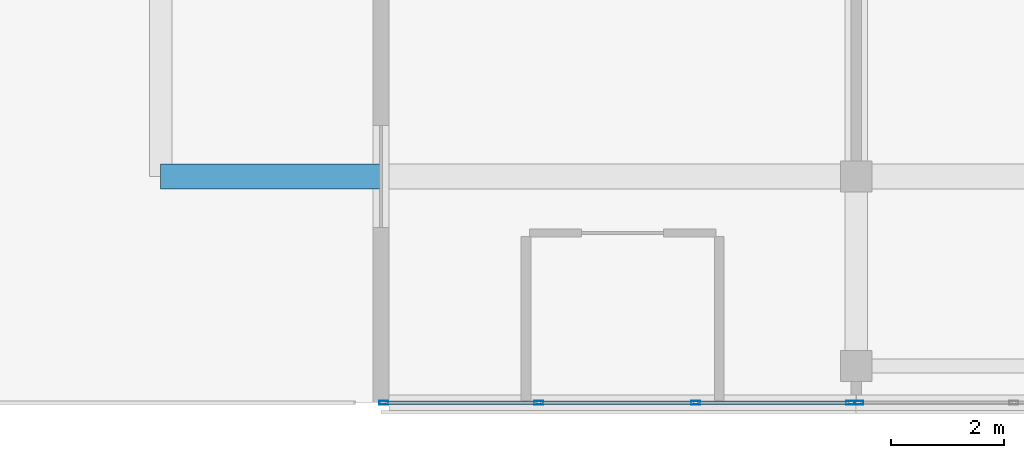
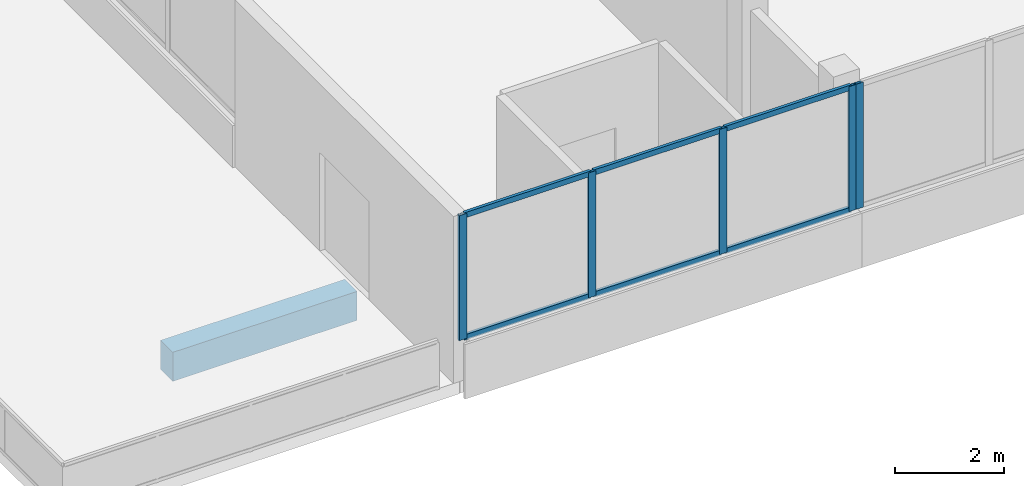
# One storey, part 4 of 67: 11 members, 1 beam, 2 elements without a shape of their own.
"""IFC4 building model written with IfcOpenShell, lengths in metres."""

from ifc_helpers import new_model, si_unit, direction, frame, origin, origin_2d, place, context, subcontext, project, spatial, rectangle, hollow_rectangle, extrude, material, material_profile, profile_set, type_object, element, aggregate, save


model = new_model("IFC4")

# Units and contexts
model_context = context("Model", 3, precision=1e-05, world=origin(), true_north=direction((0.0, 1.0)))
body_context = subcontext(model_context, "Body", "Model", "MODEL_VIEW")
ifc_project = project(units=[si_unit("LENGTHUNIT", "METRE"), si_unit("AREAUNIT", "SQUARE_METRE"), si_unit("VOLUMEUNIT", "CUBIC_METRE"), si_unit("PLANEANGLEUNIT", "RADIAN"), si_unit("MASSUNIT", "GRAM", prefix="KILO")], contexts=[model_context])

# Site, building, storey
site_placement = place(None, origin())
site = spatial("IfcSite", under=ifc_project, at=site_placement, CompositionType="ELEMENT")
building_placement = place(site_placement, origin())
building = spatial("IfcBuilding", under=site, at=building_placement, Name="Selatvlak General Hospital", CompositionType="ELEMENT")
storey_placement = place(building_placement, frame((0.0, 0.0, 35.39990234375)))
storey = spatial("IfcBuildingStorey", under=building, at=storey_placement, Name="L08", CompositionType="ELEMENT", Elevation=35.39990234375)

# Beam
ifc_material_1 = material(Name="Concrete C40/50", Category="concrete")
ifc_material_profile_1 = material_profile(ifc_material_1, rectangle(XDim=0.449951171875, YDim=0.64990234375, at=origin_2d()), Name="RC-BM 450x650")
ifc_profile_set_1 = profile_set([ifc_material_profile_1], Name="Concrete C40/50")
beam_type = type_object("IfcBeamType", Name="BM-G04", PredefinedType="BEAM", material=ifc_profile_set_1)
beam_placement = place(storey_placement, frame((27.300048828125, 92.0, -0.596923828125), z_axis=(1.0, 0.0, 0.0), x_axis=(0.0, 1.0, 0.0)))
element("IfcBeam", 1, at=beam_placement, inside=storey, type_object=beam_type, Name="Beam BMR-L08-2568", PredefinedType="BEAM", context=body_context, shape_type="SweptSolid", body=[
    extrude(rectangle(XDim=0.449951171875, YDim=0.64990234375, at=origin_2d()), origin(), (0.0, 0.0, 1.0), 3.89990234375),
])

# Curtain wall, member
ifc_material_2 = material(Name="Solar-control Low-E double glazing", Category="glass")
curtain_wall_type_1 = type_object("IfcCurtainWallType", Name="CW-CW-01", PredefinedType="USERDEFINED", material=ifc_material_2)
curtain_wall_1_placement = place(storey_placement, origin())
curtain_wall_1 = element("IfcCurtainWall", 2, at=curtain_wall_1_placement, inside=storey, type_object=curtain_wall_type_1, Name="Glazed facade curtain wall CW-L08-0714", ObjectType="UNITISED CURTAIN WALL", PredefinedType="USERDEFINED")
ifc_material_3 = material(Name="Dark anodised aluminium mullion", Category="aluminium")
ifc_material_profile_2 = material_profile(ifc_material_3, hollow_rectangle(XDim=0.06494140625, YDim=0.159912109375, WallThickness=0.00390625, at=origin_2d()), Name="AL-MUL 65x160x4")
ifc_profile_set_2 = profile_set([ifc_material_profile_2], Name="Dark anodised aluminium mullion")
member_type_1 = type_object("IfcMemberType", Name="CWM-01", PredefinedType="MULLION", material=ifc_profile_set_2)
member_1_placement = place(storey_placement, frame((39.6474609375, 88.0, 0.940185546875), z_axis=(0.0, 0.0, 1.0), x_axis=(0.0, -1.0, 0.0)))
member_1 = element("IfcMember", 3, at=member_1_placement, type_object=member_type_1, Name="CW-01 mullion 4", PredefinedType="MULLION", context=body_context, shape_type="SweptSolid", body=[
    extrude(hollow_rectangle(XDim=0.06494140625, YDim=0.159912109375, WallThickness=0.00390625, at=origin_2d()), origin(), (0.0, 0.0, 1.0), 2.7998046875),
])
aggregate(curtain_wall_1, [member_1])

# Curtain wall, members
curtain_wall_type_2 = type_object("IfcCurtainWallType", Name="CW-CW-02", PredefinedType="USERDEFINED", material=ifc_material_2)
curtain_wall_2_placement = place(storey_placement, origin())
curtain_wall_2 = element("IfcCurtainWall", 4, at=curtain_wall_2_placement, inside=storey, type_object=curtain_wall_type_2, Name="Glazed facade curtain wall CW-L08-0715", ObjectType="UNITISED CURTAIN WALL", PredefinedType="USERDEFINED")
member_2_placement = place(storey_placement, frame((39.50244140625, 88.0, 0.940185546875), z_axis=(0.0, 0.0, 1.0), x_axis=(0.0, -1.0, 0.0)))
member_2 = element("IfcMember", 5, at=member_2_placement, type_object=member_type_1, Name="CW-02 mullion 1", PredefinedType="MULLION", context=body_context, shape_type="SweptSolid", body=[
    extrude(hollow_rectangle(XDim=0.06494140625, YDim=0.159912109375, WallThickness=0.00390625, at=origin_2d()), origin(), (0.0, 0.0, 1.0), 2.7998046875),
])
member_3_placement = place(storey_placement, frame((36.76171875, 88.0, 0.940185546875), z_axis=(0.0, 0.0, 1.0), x_axis=(0.0, -1.0, 0.0)))
member_3 = element("IfcMember", 6, at=member_3_placement, type_object=member_type_1, Name="CW-02 mullion 2", PredefinedType="MULLION", context=body_context, shape_type="SweptSolid", body=[
    extrude(hollow_rectangle(XDim=0.06494140625, YDim=0.159912109375, WallThickness=0.00390625, at=origin_2d()), origin(), (0.0, 0.0, 1.0), 2.7998046875),
])
member_4_placement = place(storey_placement, frame((33.98828125, 88.0, 0.940185546875), z_axis=(0.0, 0.0, 1.0), x_axis=(0.0, -1.0, 0.0)))
member_4 = element("IfcMember", 7, at=member_4_placement, type_object=member_type_1, Name="CW-02 mullion 3", PredefinedType="MULLION", context=body_context, shape_type="SweptSolid", body=[
    extrude(hollow_rectangle(XDim=0.06494140625, YDim=0.159912109375, WallThickness=0.00390625, at=origin_2d()), origin(), (0.0, 0.0, 1.0), 2.7998046875),
])
member_5_placement = place(storey_placement, frame((31.24755859375, 88.0, 0.940185546875), z_axis=(0.0, 0.0, 1.0), x_axis=(0.0, -1.0, 0.0)))
member_5 = element("IfcMember", 8, at=member_5_placement, type_object=member_type_1, Name="CW-02 mullion 4", PredefinedType="MULLION", context=body_context, shape_type="SweptSolid", body=[
    extrude(hollow_rectangle(XDim=0.06494140625, YDim=0.159912109375, WallThickness=0.00390625, at=origin_2d()), origin(), (0.0, 0.0, 1.0), 2.7998046875),
])
ifc_material_profile_3 = material_profile(ifc_material_3, hollow_rectangle(XDim=0.06494140625, YDim=0.1201171875, WallThickness=0.00390625, at=origin_2d()), Name="AL-TRN 65x120x4")
ifc_profile_set_3 = profile_set([ifc_material_profile_3], Name="Dark anodised aluminium mullion")
member_type_2 = type_object("IfcMemberType", Name="CWT-01", PredefinedType="USERDEFINED", material=ifc_profile_set_3)
member_6_placement = place(storey_placement, frame((39.469970703125, 88.0, 0.97265625), z_axis=(-1.0, 0.0, 0.0), x_axis=(0.0, -1.0, 0.0)))
member_6 = element("IfcMember", 9, at=member_6_placement, type_object=member_type_2, Name="CW-02 transom 1.1", ObjectType="TRANSOM", PredefinedType="USERDEFINED", context=body_context, shape_type="SweptSolid", body=[
    extrude(hollow_rectangle(XDim=0.06494140625, YDim=0.1201171875, WallThickness=0.00390625, at=origin_2d()), origin(), (0.0, 0.0, 1.0), 2.67578125),
])
member_7_placement = place(storey_placement, frame((39.469970703125, 88.0, 3.70751953125), z_axis=(-1.0, 0.0, 0.0), x_axis=(0.0, -1.0, 0.0)))
member_7 = element("IfcMember", 10, at=member_7_placement, type_object=member_type_2, Name="CW-02 transom 1.2", ObjectType="TRANSOM", PredefinedType="USERDEFINED", context=body_context, shape_type="SweptSolid", body=[
    extrude(hollow_rectangle(XDim=0.06494140625, YDim=0.1201171875, WallThickness=0.00390625, at=origin_2d()), origin(), (0.0, 0.0, 1.0), 2.67578125),
])
member_8_placement = place(storey_placement, frame((36.729248046875, 88.0, 0.97265625), z_axis=(-1.0, 0.0, 0.0), x_axis=(0.0, -1.0, 0.0)))
member_8 = element("IfcMember", 11, at=member_8_placement, type_object=member_type_2, Name="CW-02 transom 2.1", ObjectType="TRANSOM", PredefinedType="USERDEFINED", context=body_context, shape_type="SweptSolid", body=[
    extrude(hollow_rectangle(XDim=0.06494140625, YDim=0.1201171875, WallThickness=0.00390625, at=origin_2d()), origin(), (0.0, 0.0, 1.0), 2.70849609375),
])
member_9_placement = place(storey_placement, frame((36.729248046875, 88.0, 3.70751953125), z_axis=(-1.0, 0.0, 0.0), x_axis=(0.0, -1.0, 0.0)))
member_9 = element("IfcMember", 12, at=member_9_placement, type_object=member_type_2, Name="CW-02 transom 2.2", ObjectType="TRANSOM", PredefinedType="USERDEFINED", context=body_context, shape_type="SweptSolid", body=[
    extrude(hollow_rectangle(XDim=0.06494140625, YDim=0.1201171875, WallThickness=0.00390625, at=origin_2d()), origin(), (0.0, 0.0, 1.0), 2.70849609375),
])
member_10_placement = place(storey_placement, frame((33.955810546875, 88.0, 0.97265625), z_axis=(-1.0, 0.0, 0.0), x_axis=(0.0, -1.0, 0.0)))
member_10 = element("IfcMember", 13, at=member_10_placement, type_object=member_type_2, Name="CW-02 transom 3.1", ObjectType="TRANSOM", PredefinedType="USERDEFINED", context=body_context, shape_type="SweptSolid", body=[
    extrude(hollow_rectangle(XDim=0.06494140625, YDim=0.1201171875, WallThickness=0.00390625, at=origin_2d()), origin(), (0.0, 0.0, 1.0), 2.67578125),
])
member_11_placement = place(storey_placement, frame((33.955810546875, 88.0, 3.70751953125), z_axis=(-1.0, 0.0, 0.0), x_axis=(0.0, -1.0, 0.0)))
member_11 = element("IfcMember", 14, at=member_11_placement, type_object=member_type_2, Name="CW-02 transom 3.2", ObjectType="TRANSOM", PredefinedType="USERDEFINED", context=body_context, shape_type="SweptSolid", body=[
    extrude(hollow_rectangle(XDim=0.06494140625, YDim=0.1201171875, WallThickness=0.00390625, at=origin_2d()), origin(), (0.0, 0.0, 1.0), 2.67578125),
])
aggregate(curtain_wall_2, [member_2, member_3, member_4, member_5, member_6, member_7, member_8, member_9, member_10, member_11])

save(model, "model.ifc")
